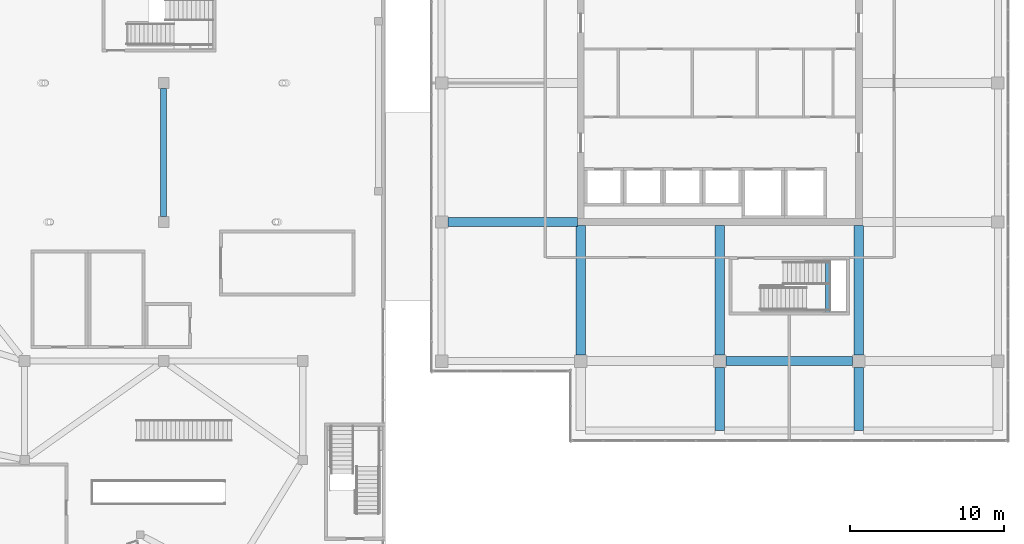
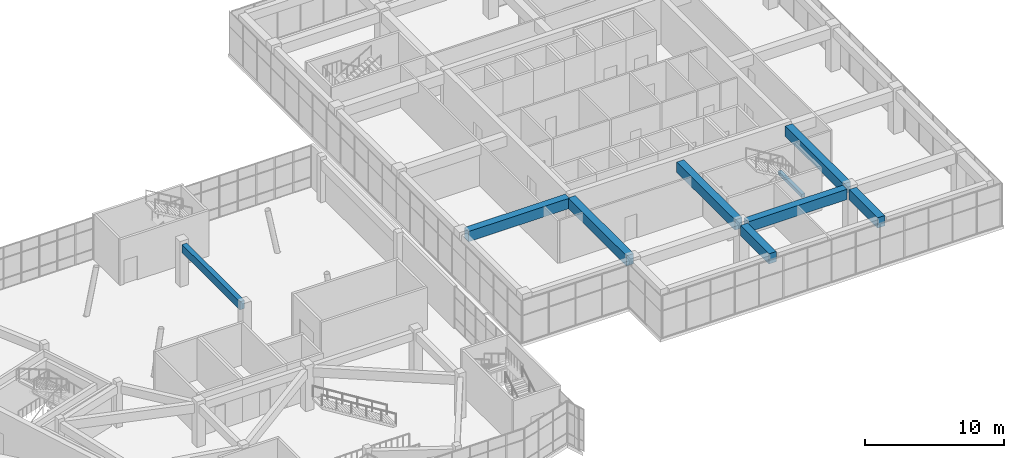
# One storey, part 22 of 66: 9 beams.
"""IFC4 building model written with IfcOpenShell, lengths in metres."""

from ifc_helpers import new_model, si_unit, direction, frame, origin, origin_2d, place, context, subcontext, project, spatial, rectangle, extrude, material, material_profile, profile_set, type_object, element, save


model = new_model("IFC4")

# Units and contexts
model_context = context("Model", 3, precision=1e-05, world=origin(), true_north=direction((0.0, 1.0)))
body_context = subcontext(model_context, "Body", "Model", "MODEL_VIEW")
ifc_project = project(units=[si_unit("LENGTHUNIT", "METRE"), si_unit("AREAUNIT", "SQUARE_METRE"), si_unit("VOLUMEUNIT", "CUBIC_METRE"), si_unit("PLANEANGLEUNIT", "RADIAN"), si_unit("MASSUNIT", "GRAM", prefix="KILO")], contexts=[model_context])

# Site, building, storey
site_placement = place(None, origin())
site = spatial("IfcSite", under=ifc_project, at=site_placement, CompositionType="ELEMENT")
building_placement = place(site_placement, origin())
building = spatial("IfcBuilding", under=site, at=building_placement, Name="Tuart Plaza Theatre", CompositionType="ELEMENT")
storey_placement = place(building_placement, frame((0.0, 0.0, 5.5)))
storey = spatial("IfcBuildingStorey", under=building, at=storey_placement, Name="L01", CompositionType="ELEMENT", Elevation=5.5)

# Beams
ifc_material_1 = material(Name="Concrete N40 (40 MPa)", Category="concrete")
ifc_material_profile_1 = material_profile(ifc_material_1, rectangle(XDim=0.300048828125, YDim=0.300048828125, at=origin_2d()), Name="BEAM 300x300 Concrete N40 (40 MPa)")
ifc_profile_set_1 = profile_set([ifc_material_profile_1], Name="Concrete N40 (40 MPa)")
beam_type_1 = type_object("IfcBeamType", Name="BEAM 300x300 Concrete N40 (40 MPa)", PredefinedType="BEAM", material=ifc_profile_set_1)
beam_1_placement = place(storey_placement, frame((138.97998046875, 59.175048828125, 1.64990234375), z_axis=(0.0, 1.0, 0.0), x_axis=(-1.0, 0.0, 0.0)))
element("IfcBeam", 1, at=beam_1_placement, inside=storey, type_object=beam_type_1, Name="RB497", PredefinedType="BEAM", context=body_context, shape_type="SweptSolid", body=[
    extrude(rectangle(XDim=0.300048828125, YDim=0.300048828125, at=origin_2d()), origin(), (0.0, 0.0, 1.0), 3.39990234375),
])
ifc_material_2 = material(Name="Concrete N40 (40 MPa)", Category="concrete")
ifc_material_profile_2 = material_profile(ifc_material_2, rectangle(XDim=0.39990234375, YDim=0.699951171875, at=origin_2d()), Name="BEAM 400x700 Concrete N40 (40 MPa)")
ifc_profile_set_2 = profile_set([ifc_material_profile_2], Name="Concrete N40 (40 MPa)")
beam_type_2 = type_object("IfcBeamType", Name="BEAM 400x700 Concrete N40 (40 MPa)", PredefinedType="BEAM", material=ifc_profile_set_2)
beam_2_placement = place(storey_placement, frame((96.0, 65.35009765625, 3.35009765625), z_axis=(0.0, 1.0, 0.0), x_axis=(-1.0, 0.0, 0.0)))
element("IfcBeam", 2, at=beam_2_placement, inside=storey, type_object=beam_type_2, Name="RB462", PredefinedType="BEAM", context=body_context, shape_type="SweptSolid", body=[
    extrude(rectangle(XDim=0.39990234375, YDim=0.699951171875, at=origin_2d()), origin(), (0.0, 0.0, 1.0), 8.2998046875),
])
ifc_material_3 = material(Name="Concrete N40 (40 MPa)", Category="concrete")
ifc_material_profile_3 = material_profile(ifc_material_3, rectangle(XDim=0.60009765625, YDim=0.89990234375, at=origin_2d()), Name="BEAM 600x900 Concrete N40 (40 MPa)")
ifc_profile_set_3 = profile_set([ifc_material_profile_3], Name="Concrete N40 (40 MPa)")
beam_type_3 = type_object("IfcBeamType", Name="BEAM 600x900 Concrete N40 (40 MPa)", PredefinedType="BEAM", material=ifc_profile_set_3)
for number, where, z_axis, x_axis, name in (
    (3, (114.39990234375, 65.0, 3.300048828125), (1.0, 0.0, 0.0), (0.0, 1.0, 0.0), "RB165"),
    (4, (123.0, 56.39990234375, 3.300048828125), (0.0, 1.0, 0.0), (-1.0, 0.0, 0.0), "RB175"),
):
    element("IfcBeam", number, at=place(storey_placement, frame(where, z_axis=z_axis, x_axis=x_axis)), inside=storey, type_object=beam_type_3, Name=name, PredefinedType="BEAM", context=body_context, shape_type="SweptSolid", body=[
        extrude(rectangle(XDim=0.60009765625, YDim=0.89990234375, at=origin_2d()), origin(), (0.0, 0.0, 1.0), 8.375),
    ])
beam_3_placement = place(storey_placement, frame((132.0, 51.5, 3.300048828125), z_axis=(0.0, 1.0, 0.0), x_axis=(-1.0, 0.0, 0.0)))
element("IfcBeam", 5, at=beam_3_placement, inside=storey, type_object=beam_type_3, Name="RB181", PredefinedType="BEAM", context=body_context, shape_type="SweptSolid", body=[
    extrude(rectangle(XDim=0.60009765625, YDim=0.89990234375, at=origin_2d()), origin(), (0.0, 0.0, 1.0), 4.10009765625),
])
beam_4_placement = place(storey_placement, frame((132.0, 56.39990234375, 3.300048828125), z_axis=(0.0, 1.0, 0.0), x_axis=(-1.0, 0.0, 0.0)))
element("IfcBeam", 6, at=beam_4_placement, inside=storey, type_object=beam_type_3, Name="RB183", PredefinedType="BEAM", context=body_context, shape_type="SweptSolid", body=[
    extrude(rectangle(XDim=0.60009765625, YDim=0.89990234375, at=origin_2d()), origin(), (0.0, 0.0, 1.0), 8.375),
])
beam_5_placement = place(storey_placement, frame((132.39990234375, 56.0, 3.300048828125), z_axis=(1.0, 0.0, 0.0), x_axis=(0.0, 1.0, 0.0)))
element("IfcBeam", 7, at=beam_5_placement, inside=storey, type_object=beam_type_3, Name="RB184", PredefinedType="BEAM", context=body_context, shape_type="SweptSolid", body=[
    extrude(rectangle(XDim=0.60009765625, YDim=0.89990234375, at=origin_2d()), origin(), (0.0, 0.0, 1.0), 8.2001953125),
])
beam_6_placement = place(storey_placement, frame((141.0, 51.5, 3.300048828125), z_axis=(0.0, 1.0, 0.0), x_axis=(-1.0, 0.0, 0.0)))
element("IfcBeam", 8, at=beam_6_placement, inside=storey, type_object=beam_type_3, Name="RB188", PredefinedType="BEAM", context=body_context, shape_type="SweptSolid", body=[
    extrude(rectangle(XDim=0.60009765625, YDim=0.89990234375, at=origin_2d()), origin(), (0.0, 0.0, 1.0), 4.10009765625),
])
beam_7_placement = place(storey_placement, frame((141.0, 56.39990234375, 3.300048828125), z_axis=(0.0, 1.0, 0.0), x_axis=(-1.0, 0.0, 0.0)))
element("IfcBeam", 9, at=beam_7_placement, inside=storey, type_object=beam_type_3, Name="RB190", PredefinedType="BEAM", context=body_context, shape_type="SweptSolid", body=[
    extrude(rectangle(XDim=0.60009765625, YDim=0.89990234375, at=origin_2d()), origin(), (0.0, 0.0, 1.0), 8.375),
])

save(model, "model.ifc")
